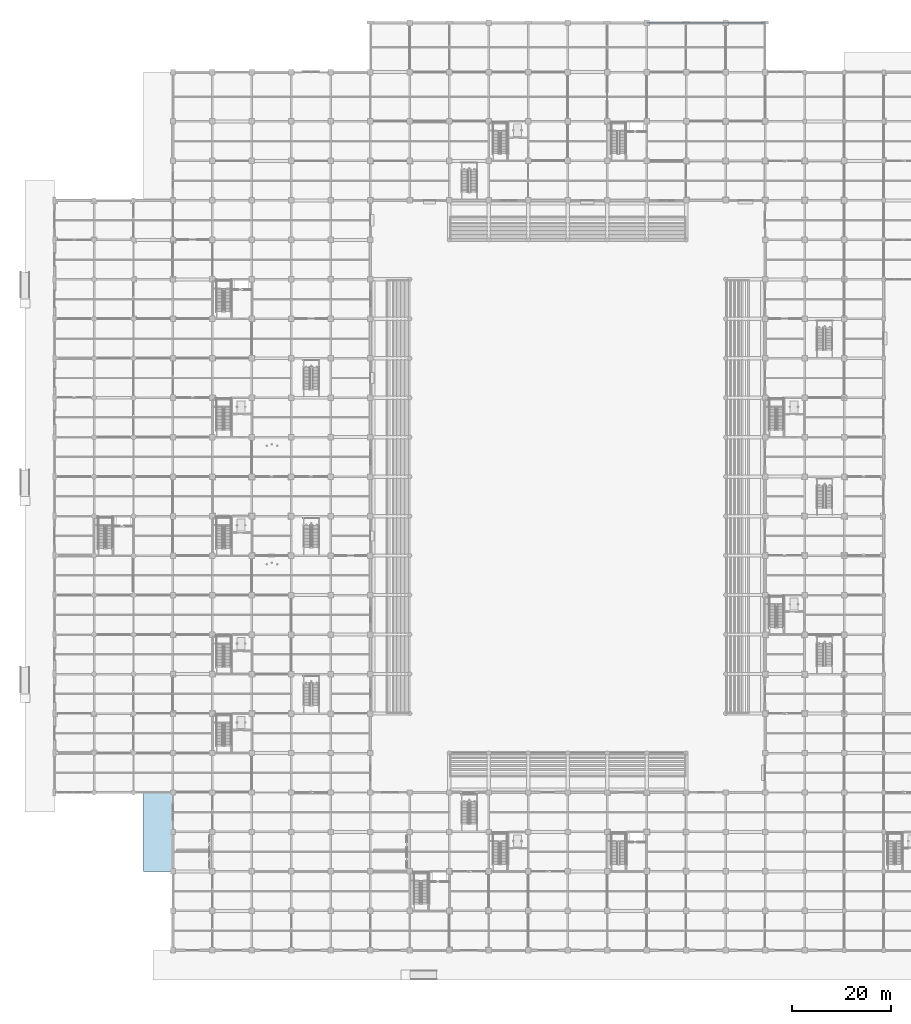
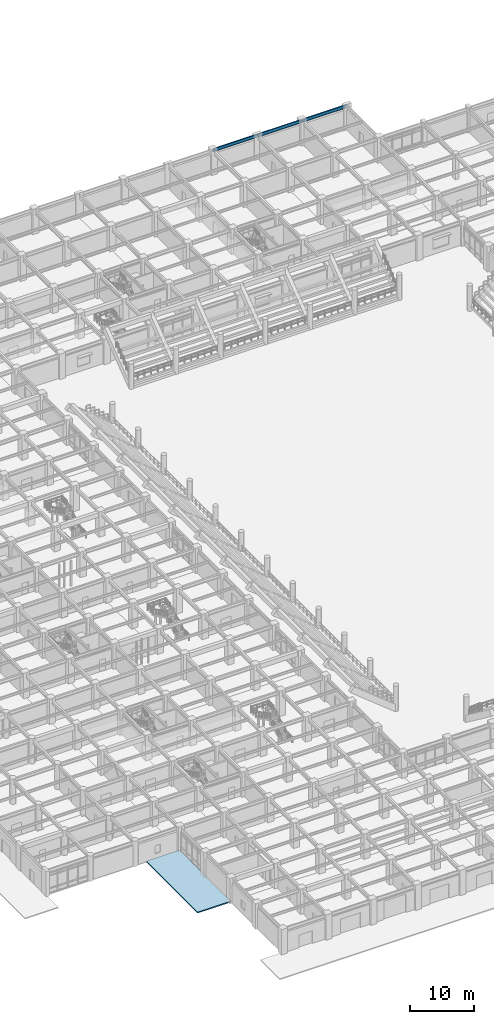
# One storey, part 56 of 125: 3 beams, 1 slab.
"""IFC4 building model written with IfcOpenShell, lengths in metres."""

from ifc_helpers import new_model, si_unit, direction, frame, origin, origin_2d, place, context, subcontext, project, spatial, polyline, i_section, outline, extrude, material, layer, layer_set, material_profile, profile_set, type_object, element, save


model = new_model("IFC4")

# Units and contexts
model_context = context("Model", 3, precision=1e-05, world=origin(), true_north=direction((0.0, 1.0)))
body_context = subcontext(model_context, "Body", "Model", "MODEL_VIEW")
ifc_project = project(units=[si_unit("LENGTHUNIT", "METRE"), si_unit("AREAUNIT", "SQUARE_METRE"), si_unit("VOLUMEUNIT", "CUBIC_METRE"), si_unit("PLANEANGLEUNIT", "RADIAN"), si_unit("MASSUNIT", "GRAM", prefix="KILO")], contexts=[model_context])

# Site, building, storey
site_placement = place(None, origin())
site = spatial("IfcSite", under=ifc_project, at=site_placement, CompositionType="ELEMENT")
building_placement = place(site_placement, origin())
building = spatial("IfcBuilding", under=site, at=building_placement, Name="Haebicheon Civic Stadium", CompositionType="ELEMENT")
storey_placement = place(building_placement, origin())
storey = spatial("IfcBuildingStorey", under=building, at=storey_placement, Name="L01", CompositionType="ELEMENT", Elevation=0.0)

# Beams
ifc_material_1 = material(Name="Steel SM355 (S355)", Category="steel")
ifc_material_profile = material_profile(ifc_material_1, i_section(OverallWidth=0.199951171875, OverallDepth=0.60009765625, WebThickness=0.010986328125, FlangeThickness=0.01708984375, at=origin_2d()), Name="H-600x200x11x17")
ifc_profile_set = profile_set([ifc_material_profile], Name="Steel SM355 (S355)")
beam_type = type_object("IfcBeamType", Name="SPD-ST-H600B", PredefinedType="SPANDREL", material=ifc_profile_set)
for number, where, z_axis, x_axis, name in (
    (1, (120.0, 188.0, 4.280029296875), (1.0, 0.0, 0.0), (0.0, 1.0, 0.0), "L01 beam Z/16-17"),
    (2, (128.0, 188.0, 4.280029296875), (1.0, 0.0, 0.0), (0.0, 1.0, 0.0), "L01 beam Z/17-18"),
    (3, (136.0, 188.0, 4.280029296875), (1.0, 0.0, 0.0), (0.0, 1.0, 0.0), "L01 beam Z/18-19"),
):
    element("IfcBeam", number, at=place(storey_placement, frame(where, z_axis=z_axis, x_axis=x_axis)), inside=storey, type_object=beam_type, material=ifc_profile_set, Name=name, PredefinedType="SPANDREL", context=body_context, shape_type="SweptSolid", body=[
        extrude(i_section(OverallWidth=0.199951171875, OverallDepth=0.60009765625, WebThickness=0.010986328125, FlangeThickness=0.01708984375, at=origin_2d()), origin(), (0.0, 0.0, 1.0), 8.0),
    ])

# Slab
ifc_material_2 = material(Name="Precast concrete C35/45", Category="concrete")
ifc_layer = layer(ifc_material_2, 0.199951171875, Name="Precast concrete C35/45")
ifc_layer_set = layer_set([ifc_layer], Name="Precast concrete C35/45")
slab_type = type_object("IfcSlabType", Name="SLB-PAV-200", PredefinedType="BASESLAB", material=ifc_layer_set)
slab_placement = place(storey_placement, frame((0.0, 0.0, -0.199951171875)))
element("IfcSlab", 4, at=slab_placement, inside=storey, type_object=slab_type, material=ifc_layer_set, Name="Exterior plaza paving apron APR-WEST-S", PredefinedType="BASESLAB", context=body_context, shape_type="SweptSolid", body=[
    extrude(outline(polyline([(18.0, 16.0), (18.0, 31.9951171875), (23.9951171875, 31.9951171875), (23.9951171875, 16.0), (18.0, 16.0)])), origin(), (0.0, 0.0, 1.0), 0.199951171875),
])

save(model, "model.ifc")
